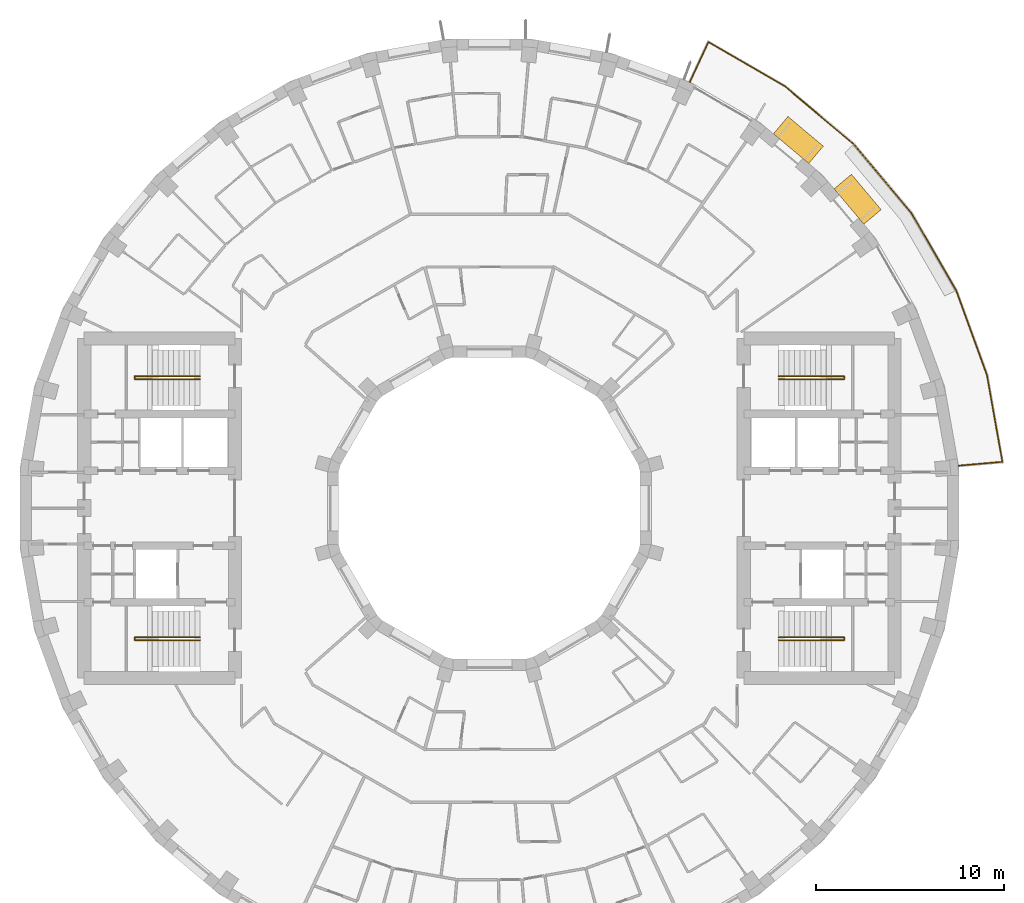
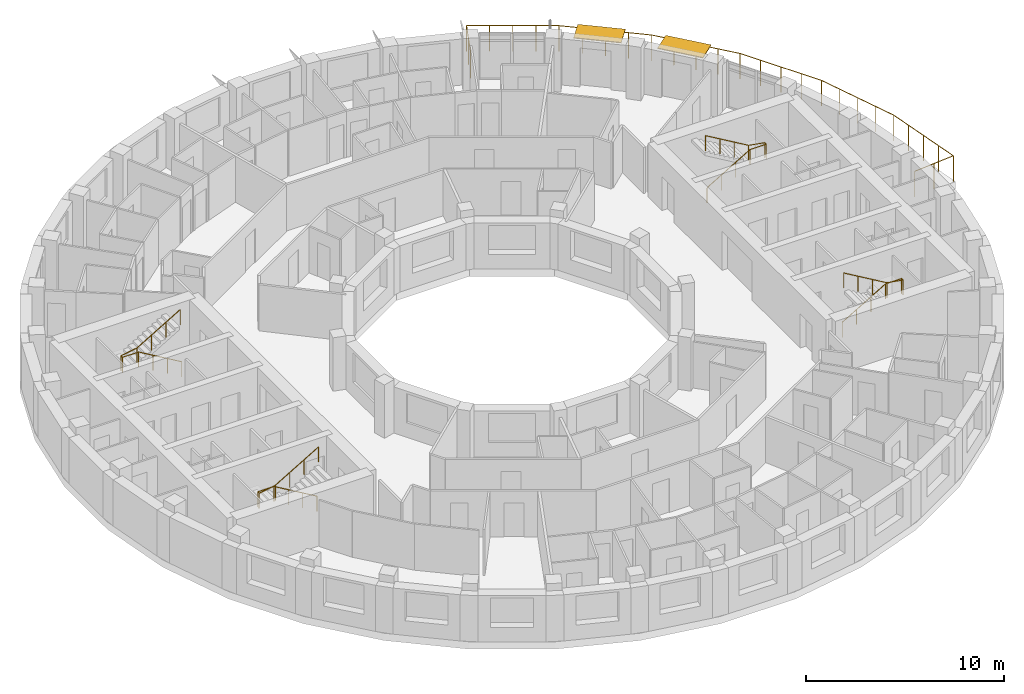
# One storey, part 15 of 15: 5 railings, 2 shading devices.
"""IFC4 building model written with IfcOpenShell, lengths in metres."""

from ifc_helpers import new_model, si_unit, direction, frame, origin, origin_2d, place, context, subcontext, project, spatial, rectangle, circle, extrude, material, layer, layer_set, type_object, element, save


model = new_model("IFC4")

# Units and contexts
model_context = context("Model", 3, precision=1e-05, world=origin(), true_north=direction((0.0, 1.0)))
body_context = subcontext(model_context, "Body", "Model", "MODEL_VIEW")
ifc_project = project(units=[si_unit("LENGTHUNIT", "METRE"), si_unit("AREAUNIT", "SQUARE_METRE"), si_unit("VOLUMEUNIT", "CUBIC_METRE"), si_unit("PLANEANGLEUNIT", "RADIAN"), si_unit("MASSUNIT", "GRAM", prefix="KILO")], contexts=[model_context])

# Site, building, storey
site_placement = place(None, origin())
site = spatial("IfcSite", under=ifc_project, at=site_placement, CompositionType="ELEMENT")
building_placement = place(site_placement, origin())
building = spatial("IfcBuilding", under=site, at=building_placement, Name="Saqina Gate Tower", CompositionType="ELEMENT")
storey_placement = place(building_placement, frame((0.0, 0.0, 197.10009765625)))
storey = spatial("IfcBuildingStorey", under=building, at=storey_placement, Name="L56", CompositionType="ELEMENT", Elevation=197.10009765625)

# Shading devices
ifc_material_1 = material(Name="Aluminium and fabric awning", Category="aluminium")
ifc_layer = layer(ifc_material_1, 0.050048828125)
ifc_layer_set = layer_set([ifc_layer], Name="AW-TERRACE")
shading_device_type = type_object("IfcShadingDeviceType", Name="AW-TERRACE", PredefinedType="AWNING", material=ifc_layer_set)
for number, where, z_axis, x_axis, name in (
    (1, (19.537841796875, 16.394287109375, 2.52490234375), (0.0, 0.0, 1.0), (-0.642787609687, 0.766044443119, 0.0), "Terrace awning L56 facet 4"),
    (2, (16.394287109375, 19.537841796875, 2.52490234375), (0.0, 0.0, 1.0), (-0.766044443119, 0.642787609687, 0.0), "Terrace awning L56 facet 5"),
):
    element("IfcShadingDevice", number, at=place(storey_placement, frame(where, z_axis=z_axis, x_axis=x_axis)), inside=storey, type_object=shading_device_type, Name=name, PredefinedType="AWNING", context=body_context, shape_type="SweptSolid", body=[
        extrude(rectangle(XDim=2.44970703125, YDim=1.199951171875, at=origin_2d()), origin(), (0.0, 0.0, 1.0), 0.050048828125),
    ])

# Railings
ifc_material_2 = material(Name="Stainless steel", Category="steel")
railing_type_1 = type_object("IfcRailingType", Name="RL-TERRACE", PredefinedType="GUARDRAIL", material=ifc_material_2)
railing_1_placement = place(storey_placement, frame((24.838134765625, 2.25341796875, 0.0)))
element("IfcRailing", 3, at=railing_1_placement, inside=storey, type_object=railing_type_1, Name="Terrace guard L56", PredefinedType="GUARDRAIL", context=body_context, shape_type="SweptSolid", body=[
    extrude(circle(Radius=0.02392578125, at=origin_2d()), frame((0.0, 0.0, 1.576171875), z_axis=(0.996193273779, 0.087172021187, 0.0), x_axis=(-0.087172021187, 0.996193273779, 0.0)), (0.0, 0.0, 1.0), 2.388916015625),
    extrude(circle(Radius=0.02392578125, at=origin_2d()), frame((2.3798828125, 0.208251953125, 1.576171875), z_axis=(-0.175132139837, 0.984544937317, 0.0), x_axis=(-0.984544937317, -0.175132139837, 0.0)), (0.0, 0.0, 1.0), 4.68408203125),
    extrude(circle(Radius=0.02392578125, at=origin_2d()), frame((1.5595703125, 4.81982421875, 1.576171875), z_axis=(-0.342031084868, 0.939688638318, 0.0), x_axis=(-0.939688638318, -0.342031084868, 0.0)), (0.0, 0.0, 1.0), 4.763916015625),
    extrude(circle(Radius=0.02392578125, at=origin_2d()), frame((-0.06982421875, 9.29638671875, 1.576171875), z_axis=(-0.499997507361, 0.866026842905, 0.0), x_axis=(-0.866026842905, -0.499997507361, 0.0)), (0.0, 0.0, 1.0), 4.763671875),
    extrude(circle(Radius=0.02392578125, at=origin_2d()), frame((-2.45166015625, 13.421875, 1.576171875), z_axis=(-0.642786942402, 0.766045003037, 0.0), x_axis=(-0.766045003037, -0.642786942402, 0.0)), (0.0, 0.0, 1.0), 4.763671875),
    extrude(circle(Radius=0.02392578125, at=origin_2d()), frame((-5.513671875, 17.071044921875, 1.576171875), z_axis=(-0.766045003037, 0.642786942402, 0.0), x_axis=(-0.642786942402, -0.766045003037, 0.0)), (0.0, 0.0, 1.0), 4.763671875),
    extrude(circle(Radius=0.02392578125, at=origin_2d()), frame((-9.162841796875, 20.133056640625, 1.576171875), z_axis=(-0.865270419555, 0.501305396981, 0.0), x_axis=(-0.501305396981, -0.865270419555, 0.0)), (0.0, 0.0, 1.0), 4.68408203125),
    extrude(circle(Radius=0.02392578125, at=origin_2d()), frame((-13.2158203125, 22.481201171875, 1.576171875), z_axis=(-0.422684046048, -0.906277108403, 0.0), x_axis=(0.906277108403, -0.422684046048, 0.0)), (0.0, 0.0, 1.0), 2.388916015625),
    extrude(circle(Radius=0.02099609375, at=origin_2d()), origin(), (0.0, 0.0, 1.0), 1.552001953125),
    extrude(circle(Radius=0.02099609375, at=origin_2d()), frame((1.18994140625, 0.10400390625, 0.0)), (0.0, 0.0, 1.0), 1.552001953125),
    extrude(circle(Radius=0.02099609375, at=origin_2d()), frame((2.3798828125, 0.208251953125, 0.0)), (0.0, 0.0, 1.0), 1.552001953125),
    extrude(circle(Radius=0.02099609375, at=origin_2d()), frame((2.1748046875, 1.361083984375, 0.0)), (0.0, 0.0, 1.0), 1.552001953125),
    extrude(circle(Radius=0.02099609375, at=origin_2d()), frame((1.9697265625, 2.51416015625, 0.0)), (0.0, 0.0, 1.0), 1.552001953125),
    extrude(circle(Radius=0.02099609375, at=origin_2d()), frame((1.7646484375, 3.6669921875, 0.0)), (0.0, 0.0, 1.0), 1.552001953125),
    extrude(circle(Radius=0.02099609375, at=origin_2d()), frame((1.5595703125, 4.81982421875, 0.0)), (0.0, 0.0, 1.0), 1.552001953125),
    extrude(circle(Radius=0.02099609375, at=origin_2d()), frame((1.15234375, 5.93896484375, 0.0)), (0.0, 0.0, 1.0), 1.552001953125),
    extrude(circle(Radius=0.02099609375, at=origin_2d()), frame((0.744873046875, 7.05810546875, 0.0)), (0.0, 0.0, 1.0), 1.552001953125),
    extrude(circle(Radius=0.02099609375, at=origin_2d()), frame((0.33740234375, 8.17724609375, 0.0)), (0.0, 0.0, 1.0), 1.552001953125),
    extrude(circle(Radius=0.02099609375, at=origin_2d()), frame((-0.06982421875, 9.29638671875, 0.0)), (0.0, 0.0, 1.0), 1.552001953125),
    extrude(circle(Radius=0.02099609375, at=origin_2d()), frame((-0.665283203125, 10.32763671875, 0.0)), (0.0, 0.0, 1.0), 1.552001953125),
    extrude(circle(Radius=0.02099609375, at=origin_2d()), frame((-1.2607421875, 11.359130859375, 0.0)), (0.0, 0.0, 1.0), 1.552001953125),
    extrude(circle(Radius=0.02099609375, at=origin_2d()), frame((-1.856201171875, 12.390625, 0.0)), (0.0, 0.0, 1.0), 1.552001953125),
    extrude(circle(Radius=0.02099609375, at=origin_2d()), frame((-2.45166015625, 13.421875, 0.0)), (0.0, 0.0, 1.0), 1.552001953125),
    extrude(circle(Radius=0.02099609375, at=origin_2d()), frame((-3.21728515625, 14.334228515625, 0.0)), (0.0, 0.0, 1.0), 1.552001953125),
    extrude(circle(Radius=0.02099609375, at=origin_2d()), frame((-3.982666015625, 15.24658203125, 0.0)), (0.0, 0.0, 1.0), 1.552001953125),
    extrude(circle(Radius=0.02099609375, at=origin_2d()), frame((-4.748046875, 16.15869140625, 0.0)), (0.0, 0.0, 1.0), 1.552001953125),
    extrude(circle(Radius=0.02099609375, at=origin_2d()), frame((-5.513671875, 17.071044921875, 0.0)), (0.0, 0.0, 1.0), 1.552001953125),
    extrude(circle(Radius=0.02099609375, at=origin_2d()), frame((-6.426025390625, 17.83642578125, 0.0)), (0.0, 0.0, 1.0), 1.552001953125),
    extrude(circle(Radius=0.02099609375, at=origin_2d()), frame((-7.33837890625, 18.60205078125, 0.0)), (0.0, 0.0, 1.0), 1.552001953125),
    extrude(circle(Radius=0.02099609375, at=origin_2d()), frame((-8.25048828125, 19.36767578125, 0.0)), (0.0, 0.0, 1.0), 1.552001953125),
    extrude(circle(Radius=0.02099609375, at=origin_2d()), frame((-9.162841796875, 20.133056640625, 0.0)), (0.0, 0.0, 1.0), 1.552001953125),
    extrude(circle(Radius=0.02099609375, at=origin_2d()), frame((-10.176025390625, 20.72021484375, 0.0)), (0.0, 0.0, 1.0), 1.552001953125),
    extrude(circle(Radius=0.02099609375, at=origin_2d()), frame((-11.189453125, 21.30712890625, 0.0)), (0.0, 0.0, 1.0), 1.552001953125),
    extrude(circle(Radius=0.02099609375, at=origin_2d()), frame((-12.20263671875, 21.89404296875, 0.0)), (0.0, 0.0, 1.0), 1.552001953125),
    extrude(circle(Radius=0.02099609375, at=origin_2d()), frame((-13.2158203125, 22.481201171875, 0.0)), (0.0, 0.0, 1.0), 1.552001953125),
    extrude(circle(Radius=0.02099609375, at=origin_2d()), frame((-13.720703125, 21.398681640625, 0.0)), (0.0, 0.0, 1.0), 1.552001953125),
    extrude(circle(Radius=0.02099609375, at=origin_2d()), frame((-14.2255859375, 20.316162109375, 0.0)), (0.0, 0.0, 1.0), 1.552001953125),
])
ifc_material_3 = material(Name="Stainless steel", Category="steel")
railing_type_2 = type_object("IfcRailingType", Name="STAIR HANDRAIL", PredefinedType="HANDRAIL", material=ifc_material_3)
railing_2_placement = place(storey_placement, frame((15.35009765625, 6.85009765625, 0.164794921875)))
element("IfcRailing", 4, at=railing_2_placement, inside=storey, type_object=railing_type_2, Name="EXIT STAIR 1 HANDRAIL", PredefinedType="HANDRAIL", context=body_context, shape_type="SweptSolid", body=[
    extrude(circle(Radius=0.02392578125, at=origin_2d()), frame((0.0, 0.0, 0.92578125), z_axis=(0.86152411907, 0.0, 0.507716645641), x_axis=(0.0, 1.0, 0.0)), (0.0, 0.0, 1.0), 2.925048828125),
    extrude(circle(Radius=0.02392578125, at=origin_2d()), frame((2.52001953125, 0.0, 2.4111328125), z_axis=(1.0, 0.0, 0.0), x_axis=(0.0, 1.0, 0.0)), (0.0, 0.0, 1.0), 0.949951171875),
    extrude(circle(Radius=0.02392578125, at=origin_2d()), frame((3.469970703125, 0.0, 2.4111328125), z_axis=(0.0, 1.0, 0.0), x_axis=(-1.0, 0.0, 0.0)), (0.0, 0.0, 1.0), 0.14990234375),
    extrude(circle(Radius=0.02392578125, at=origin_2d()), frame((3.469970703125, 0.14990234375, 2.4111328125), z_axis=(-0.985241474778, 0.0, 0.171170197109), x_axis=(0.0, -1.0, 0.0)), (0.0, 0.0, 1.0), 0.964111328125),
    extrude(circle(Radius=0.02392578125, at=origin_2d()), frame((2.52001953125, 0.14990234375, 2.576171875), z_axis=(-0.861560626758, 0.0, 0.507654692109), x_axis=(0.0, -1.0, 0.0)), (0.0, 0.0, 1.0), 2.925048828125),
    extrude(circle(Radius=0.02099609375, at=origin_2d()), origin(), (0.0, 0.0, 1.0), 0.90185546875),
    extrude(circle(Radius=0.02099609375, at=origin_2d()), frame((0.840087890625, 0.0, 0.4951171875)), (0.0, 0.0, 1.0), 0.90185546875),
    extrude(circle(Radius=0.02099609375, at=origin_2d()), frame((1.679931640625, 0.0, 0.989990234375)), (0.0, 0.0, 1.0), 0.90185546875),
    extrude(circle(Radius=0.02099609375, at=origin_2d()), frame((2.52001953125, 0.0, 1.485107421875)), (0.0, 0.0, 1.0), 0.90185546875),
    extrude(circle(Radius=0.02099609375, at=origin_2d()), frame((3.469970703125, 0.0, 1.485107421875)), (0.0, 0.0, 1.0), 0.90185546875),
    extrude(circle(Radius=0.02099609375, at=origin_2d()), frame((3.469970703125, 0.14990234375, 1.485107421875)), (0.0, 0.0, 1.0), 0.90185546875),
    extrude(circle(Radius=0.02099609375, at=origin_2d()), frame((2.52001953125, 0.14990234375, 1.650146484375)), (0.0, 0.0, 1.0), 0.90185546875),
    extrude(circle(Radius=0.02099609375, at=origin_2d()), frame((1.679931640625, 0.14990234375, 2.14501953125)), (0.0, 0.0, 1.0), 0.90185546875),
    extrude(circle(Radius=0.02099609375, at=origin_2d()), frame((0.840087890625, 0.14990234375, 2.64013671875)), (0.0, 0.0, 1.0), 0.90185546875),
    extrude(circle(Radius=0.02099609375, at=origin_2d()), frame((0.0, 0.14990234375, 3.135009765625)), (0.0, 0.0, 1.0), 0.90185546875),
])
railing_3_placement = place(storey_placement, frame((15.35009765625, -6.85009765625, 0.164794921875)))
element("IfcRailing", 5, at=railing_3_placement, inside=storey, type_object=railing_type_2, Name="EXIT STAIR 2 HANDRAIL", PredefinedType="HANDRAIL", context=body_context, shape_type="SweptSolid", body=[
    extrude(circle(Radius=0.02392578125, at=origin_2d()), frame((0.0, 0.0, 0.92578125), z_axis=(0.86152411907, 0.0, 0.507716645641), x_axis=(0.0, 1.0, 0.0)), (0.0, 0.0, 1.0), 2.925048828125),
    extrude(circle(Radius=0.02392578125, at=origin_2d()), frame((2.52001953125, 0.0, 2.4111328125), z_axis=(1.0, 0.0, 0.0), x_axis=(0.0, 1.0, 0.0)), (0.0, 0.0, 1.0), 0.949951171875),
    extrude(circle(Radius=0.02392578125, at=origin_2d()), frame((3.469970703125, 0.0, 2.4111328125), z_axis=(0.0, -1.0, 0.0), x_axis=(1.0, 0.0, 0.0)), (0.0, 0.0, 1.0), 0.14990234375),
    extrude(circle(Radius=0.02392578125, at=origin_2d()), frame((3.469970703125, -0.14990234375, 2.4111328125), z_axis=(-0.985241474778, 0.0, 0.171170197109), x_axis=(0.0, -1.0, 0.0)), (0.0, 0.0, 1.0), 0.964111328125),
    extrude(circle(Radius=0.02392578125, at=origin_2d()), frame((2.52001953125, -0.14990234375, 2.576171875), z_axis=(-0.861560626758, 0.0, 0.507654692109), x_axis=(0.0, -1.0, 0.0)), (0.0, 0.0, 1.0), 2.925048828125),
    extrude(circle(Radius=0.02099609375, at=origin_2d()), origin(), (0.0, 0.0, 1.0), 0.90185546875),
    extrude(circle(Radius=0.02099609375, at=origin_2d()), frame((0.840087890625, 0.0, 0.4951171875)), (0.0, 0.0, 1.0), 0.90185546875),
    extrude(circle(Radius=0.02099609375, at=origin_2d()), frame((1.679931640625, 0.0, 0.989990234375)), (0.0, 0.0, 1.0), 0.90185546875),
    extrude(circle(Radius=0.02099609375, at=origin_2d()), frame((2.52001953125, 0.0, 1.485107421875)), (0.0, 0.0, 1.0), 0.90185546875),
    extrude(circle(Radius=0.02099609375, at=origin_2d()), frame((3.469970703125, 0.0, 1.485107421875)), (0.0, 0.0, 1.0), 0.90185546875),
    extrude(circle(Radius=0.02099609375, at=origin_2d()), frame((3.469970703125, -0.14990234375, 1.485107421875)), (0.0, 0.0, 1.0), 0.90185546875),
    extrude(circle(Radius=0.02099609375, at=origin_2d()), frame((2.52001953125, -0.14990234375, 1.650146484375)), (0.0, 0.0, 1.0), 0.90185546875),
    extrude(circle(Radius=0.02099609375, at=origin_2d()), frame((1.679931640625, -0.14990234375, 2.14501953125)), (0.0, 0.0, 1.0), 0.90185546875),
    extrude(circle(Radius=0.02099609375, at=origin_2d()), frame((0.840087890625, -0.14990234375, 2.64013671875)), (0.0, 0.0, 1.0), 0.90185546875),
    extrude(circle(Radius=0.02099609375, at=origin_2d()), frame((0.0, -0.14990234375, 3.135009765625)), (0.0, 0.0, 1.0), 0.90185546875),
])
railing_4_placement = place(storey_placement, frame((-15.35009765625, 6.85009765625, 0.164794921875)))
element("IfcRailing", 6, at=railing_4_placement, inside=storey, type_object=railing_type_2, Name="EXIT STAIR 3 HANDRAIL", PredefinedType="HANDRAIL", context=body_context, shape_type="SweptSolid", body=[
    extrude(circle(Radius=0.02392578125, at=origin_2d()), frame((0.0, 0.0, 0.92578125), z_axis=(-0.86152411907, 0.0, 0.507716645641), x_axis=(0.0, -1.0, 0.0)), (0.0, 0.0, 1.0), 2.925048828125),
    extrude(circle(Radius=0.02392578125, at=origin_2d()), frame((-2.52001953125, 0.0, 2.4111328125), z_axis=(-1.0, 0.0, 0.0), x_axis=(0.0, -1.0, 0.0)), (0.0, 0.0, 1.0), 0.949951171875),
    extrude(circle(Radius=0.02392578125, at=origin_2d()), frame((-3.469970703125, 0.0, 2.4111328125), z_axis=(0.0, 1.0, 0.0), x_axis=(-1.0, 0.0, 0.0)), (0.0, 0.0, 1.0), 0.14990234375),
    extrude(circle(Radius=0.02392578125, at=origin_2d()), frame((-3.469970703125, 0.14990234375, 2.4111328125), z_axis=(0.985241474778, 0.0, 0.171170197109), x_axis=(0.0, 1.0, 0.0)), (0.0, 0.0, 1.0), 0.964111328125),
    extrude(circle(Radius=0.02392578125, at=origin_2d()), frame((-2.52001953125, 0.14990234375, 2.576171875), z_axis=(0.861560626758, 0.0, 0.507654692109), x_axis=(0.0, 1.0, 0.0)), (0.0, 0.0, 1.0), 2.925048828125),
    extrude(circle(Radius=0.02099609375, at=origin_2d()), origin(), (0.0, 0.0, 1.0), 0.90185546875),
    extrude(circle(Radius=0.02099609375, at=origin_2d()), frame((-0.840087890625, 0.0, 0.4951171875)), (0.0, 0.0, 1.0), 0.90185546875),
    extrude(circle(Radius=0.02099609375, at=origin_2d()), frame((-1.679931640625, 0.0, 0.989990234375)), (0.0, 0.0, 1.0), 0.90185546875),
    extrude(circle(Radius=0.02099609375, at=origin_2d()), frame((-2.52001953125, 0.0, 1.485107421875)), (0.0, 0.0, 1.0), 0.90185546875),
    extrude(circle(Radius=0.02099609375, at=origin_2d()), frame((-3.469970703125, 0.0, 1.485107421875)), (0.0, 0.0, 1.0), 0.90185546875),
    extrude(circle(Radius=0.02099609375, at=origin_2d()), frame((-3.469970703125, 0.14990234375, 1.485107421875)), (0.0, 0.0, 1.0), 0.90185546875),
    extrude(circle(Radius=0.02099609375, at=origin_2d()), frame((-2.52001953125, 0.14990234375, 1.650146484375)), (0.0, 0.0, 1.0), 0.90185546875),
    extrude(circle(Radius=0.02099609375, at=origin_2d()), frame((-1.679931640625, 0.14990234375, 2.14501953125)), (0.0, 0.0, 1.0), 0.90185546875),
    extrude(circle(Radius=0.02099609375, at=origin_2d()), frame((-0.840087890625, 0.14990234375, 2.64013671875)), (0.0, 0.0, 1.0), 0.90185546875),
    extrude(circle(Radius=0.02099609375, at=origin_2d()), frame((0.0, 0.14990234375, 3.135009765625)), (0.0, 0.0, 1.0), 0.90185546875),
])
railing_5_placement = place(storey_placement, frame((-15.35009765625, -6.85009765625, 0.164794921875)))
element("IfcRailing", 7, at=railing_5_placement, inside=storey, type_object=railing_type_2, Name="EXIT STAIR 4 HANDRAIL", PredefinedType="HANDRAIL", context=body_context, shape_type="SweptSolid", body=[
    extrude(circle(Radius=0.02392578125, at=origin_2d()), frame((0.0, 0.0, 0.92578125), z_axis=(-0.86152411907, 0.0, 0.507716645641), x_axis=(0.0, -1.0, 0.0)), (0.0, 0.0, 1.0), 2.925048828125),
    extrude(circle(Radius=0.02392578125, at=origin_2d()), frame((-2.52001953125, 0.0, 2.4111328125), z_axis=(-1.0, 0.0, 0.0), x_axis=(0.0, -1.0, 0.0)), (0.0, 0.0, 1.0), 0.949951171875),
    extrude(circle(Radius=0.02392578125, at=origin_2d()), frame((-3.469970703125, 0.0, 2.4111328125), z_axis=(0.0, -1.0, 0.0), x_axis=(1.0, 0.0, 0.0)), (0.0, 0.0, 1.0), 0.14990234375),
    extrude(circle(Radius=0.02392578125, at=origin_2d()), frame((-3.469970703125, -0.14990234375, 2.4111328125), z_axis=(0.985241474778, 0.0, 0.171170197109), x_axis=(0.0, 1.0, 0.0)), (0.0, 0.0, 1.0), 0.964111328125),
    extrude(circle(Radius=0.02392578125, at=origin_2d()), frame((-2.52001953125, -0.14990234375, 2.576171875), z_axis=(0.861560626758, 0.0, 0.507654692109), x_axis=(0.0, 1.0, 0.0)), (0.0, 0.0, 1.0), 2.925048828125),
    extrude(circle(Radius=0.02099609375, at=origin_2d()), origin(), (0.0, 0.0, 1.0), 0.90185546875),
    extrude(circle(Radius=0.02099609375, at=origin_2d()), frame((-0.840087890625, 0.0, 0.4951171875)), (0.0, 0.0, 1.0), 0.90185546875),
    extrude(circle(Radius=0.02099609375, at=origin_2d()), frame((-1.679931640625, 0.0, 0.989990234375)), (0.0, 0.0, 1.0), 0.90185546875),
    extrude(circle(Radius=0.02099609375, at=origin_2d()), frame((-2.52001953125, 0.0, 1.485107421875)), (0.0, 0.0, 1.0), 0.90185546875),
    extrude(circle(Radius=0.02099609375, at=origin_2d()), frame((-3.469970703125, 0.0, 1.485107421875)), (0.0, 0.0, 1.0), 0.90185546875),
    extrude(circle(Radius=0.02099609375, at=origin_2d()), frame((-3.469970703125, -0.14990234375, 1.485107421875)), (0.0, 0.0, 1.0), 0.90185546875),
    extrude(circle(Radius=0.02099609375, at=origin_2d()), frame((-2.52001953125, -0.14990234375, 1.650146484375)), (0.0, 0.0, 1.0), 0.90185546875),
    extrude(circle(Radius=0.02099609375, at=origin_2d()), frame((-1.679931640625, -0.14990234375, 2.14501953125)), (0.0, 0.0, 1.0), 0.90185546875),
    extrude(circle(Radius=0.02099609375, at=origin_2d()), frame((-0.840087890625, -0.14990234375, 2.64013671875)), (0.0, 0.0, 1.0), 0.90185546875),
    extrude(circle(Radius=0.02099609375, at=origin_2d()), frame((0.0, -0.14990234375, 3.135009765625)), (0.0, 0.0, 1.0), 0.90185546875),
])

save(model, "model.ifc")
